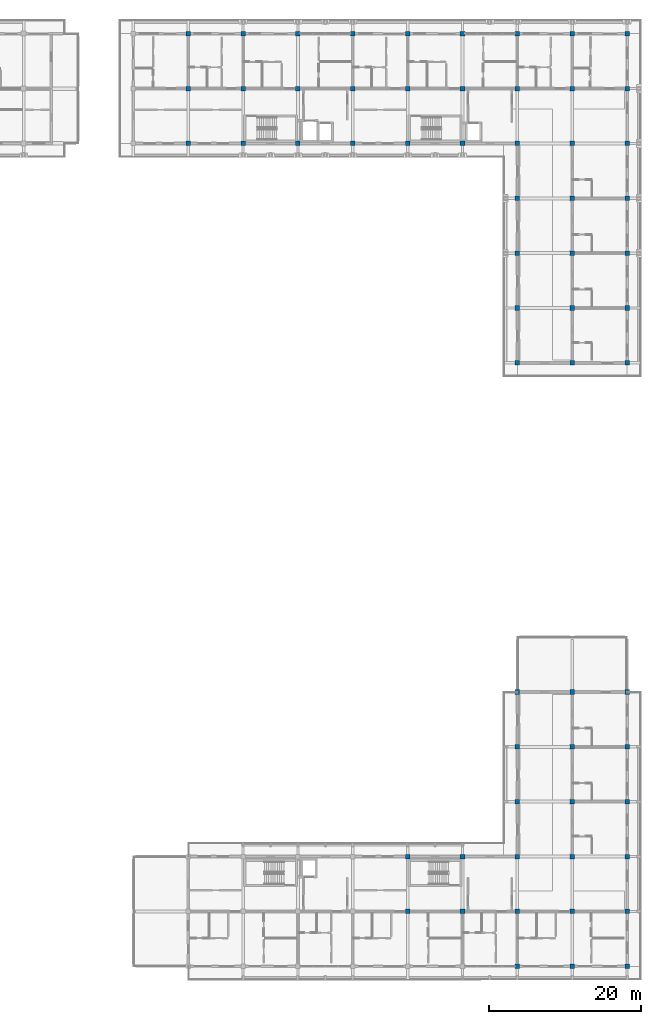
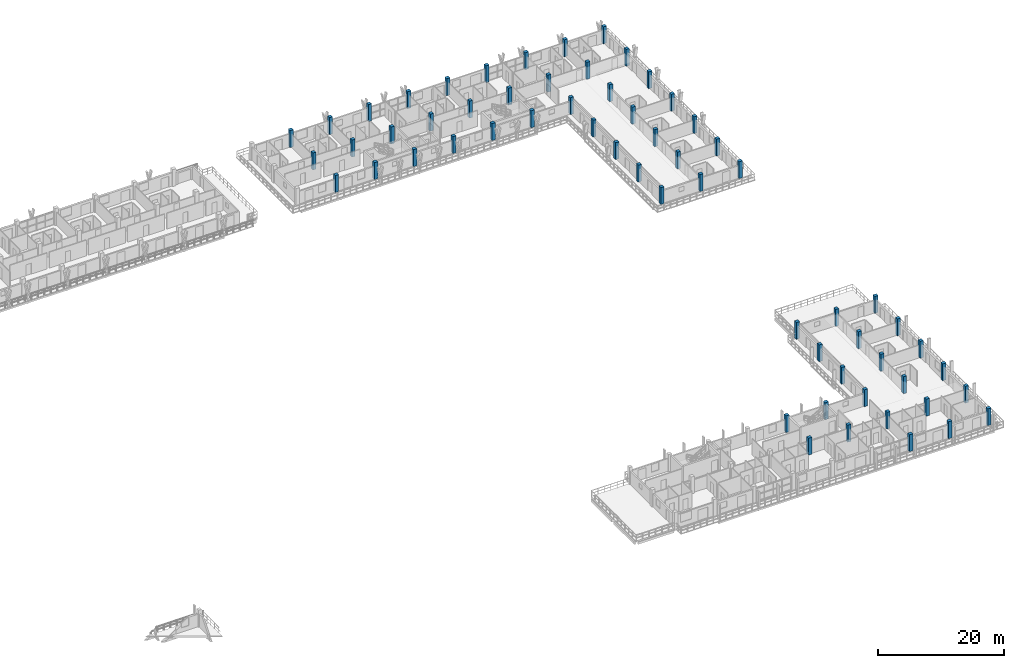
# One storey, part 2 of 75: 61 columns.
"""IFC4 building model written with IfcOpenShell, lengths in metres."""

from ifc_helpers import new_model, si_unit, direction, frame, origin, origin_2d, place, context, subcontext, project, spatial, rectangle, extrude, material, material_profile, profile_set, type_object, element, save


model = new_model("IFC4")

# Units and contexts
model_context = context("Model", 3, precision=1e-05, world=origin(), true_north=direction((0.0, 1.0)))
body_context = subcontext(model_context, "Body", "Model", "MODEL_VIEW")
ifc_project = project(units=[si_unit("LENGTHUNIT", "METRE"), si_unit("AREAUNIT", "SQUARE_METRE"), si_unit("VOLUMEUNIT", "CUBIC_METRE"), si_unit("PLANEANGLEUNIT", "RADIAN"), si_unit("MASSUNIT", "GRAM", prefix="KILO")], contexts=[model_context])

# Site, building, storey
site_placement = place(None, origin())
site = spatial("IfcSite", under=ifc_project, at=site_placement, CompositionType="ELEMENT")
building_placement = place(site_placement, origin())
building = spatial("IfcBuilding", under=site, at=building_placement, Name="Suanplinth Sawtooth Commons", CompositionType="ELEMENT")
storey_placement = place(building_placement, frame((0.0, 0.0, 18.60009765625)))
storey = spatial("IfcBuildingStorey", under=building, at=storey_placement, Name="L05", CompositionType="ELEMENT", Elevation=18.60009765625)

# Columns
ifc_material = material(Name="Precast concrete C40/50", Category="concrete")
ifc_material_profile = material_profile(ifc_material, rectangle(XDim=0.60009765625, YDim=0.60009765625, at=origin_2d()), Name="PC-COL 600x600")
ifc_profile_set = profile_set([ifc_material_profile], Name="Precast concrete C40/50")
column_type = type_object("IfcColumnType", Name="C-04", PredefinedType="COLUMN", material=ifc_profile_set)
for number, where, z_axis, x_axis, name in (
    (1, (129.60009765625, 108.0, 0.0), (0.0, 0.0, 1.0), (1.0, 0.0, 0.0), "Column L05 19/R"),
    (2, (129.60009765625, 115.199951171875, 0.0), (0.0, 0.0, 1.0), (1.0, 0.0, 0.0), "Column L05 19/S"),
    (3, (129.60009765625, 122.39990234375, 0.0), (0.0, 0.0, 1.0), (1.0, 0.0, 0.0), "Column L05 19/T"),
    (4, (136.800048828125, 108.0, 0.0), (0.0, 0.0, 1.0), (1.0, 0.0, 0.0), "Column L05 20/R"),
    (5, (136.800048828125, 115.199951171875, 0.0), (0.0, 0.0, 1.0), (1.0, 0.0, 0.0), "Column L05 20/S"),
    (6, (136.800048828125, 122.39990234375, 0.0), (0.0, 0.0, 1.0), (1.0, 0.0, 0.0), "Column L05 20/T"),
    (7, (144.0, 108.0, 0.0), (0.0, 0.0, 1.0), (1.0, 0.0, 0.0), "Column L05 21/R"),
    (8, (144.0, 115.199951171875, 0.0), (0.0, 0.0, 1.0), (1.0, 0.0, 0.0), "Column L05 21/S"),
    (9, (144.0, 122.39990234375, 0.0), (0.0, 0.0, 1.0), (1.0, 0.0, 0.0), "Column L05 21/T"),
    (10, (151.199951171875, 108.0, 0.0), (0.0, 0.0, 1.0), (1.0, 0.0, 0.0), "Column L05 22/R"),
    (11, (151.199951171875, 115.199951171875, 0.0), (0.0, 0.0, 1.0), (1.0, 0.0, 0.0), "Column L05 22/S"),
    (12, (151.199951171875, 122.39990234375, 0.0), (0.0, 0.0, 1.0), (1.0, 0.0, 0.0), "Column L05 22/T"),
    (13, (158.39990234375, 7.199951171875, 0.0), (0.0, 0.0, 1.0), (1.0, 0.0, 0.0), "Column L05 23/B"),
    (14, (158.39990234375, 14.39990234375, 0.0), (0.0, 0.0, 1.0), (1.0, 0.0, 0.0), "Column L05 23/C"),
    (15, (158.39990234375, 108.0, 0.0), (0.0, 0.0, 1.0), (1.0, 0.0, 0.0), "Column L05 23/R"),
    (16, (158.39990234375, 115.199951171875, 0.0), (0.0, 0.0, 1.0), (1.0, 0.0, 0.0), "Column L05 23/S"),
    (17, (158.39990234375, 122.39990234375, 0.0), (0.0, 0.0, 1.0), (1.0, 0.0, 0.0), "Column L05 23/T"),
    (18, (165.60009765625, 7.199951171875, 0.0), (0.0, 0.0, 1.0), (1.0, 0.0, 0.0), "Column L05 24/B"),
    (19, (165.60009765625, 14.39990234375, 0.0), (0.0, 0.0, 1.0), (1.0, 0.0, 0.0), "Column L05 24/C"),
    (20, (165.60009765625, 108.0, 0.0), (0.0, 0.0, 1.0), (1.0, 0.0, 0.0), "Column L05 24/R"),
    (21, (165.60009765625, 115.199951171875, 0.0), (0.0, 0.0, 1.0), (1.0, 0.0, 0.0), "Column L05 24/S"),
    (22, (165.60009765625, 122.39990234375, 0.0), (0.0, 0.0, 1.0), (1.0, 0.0, 0.0), "Column L05 24/T"),
    (23, (172.800048828125, 0.0, 0.0), (0.0, 0.0, 1.0), (1.0, 0.0, 0.0), "Column L05 25/A"),
    (24, (172.800048828125, 7.199951171875, 0.0), (0.0, 0.0, 1.0), (1.0, 0.0, 0.0), "Column L05 25/B"),
    (25, (172.800048828125, 14.39990234375, 0.0), (0.0, 0.0, 1.0), (1.0, 0.0, 0.0), "Column L05 25/C"),
    (26, (172.800048828125, 21.60009765625, 0.0), (0.0, 0.0, 1.0), (1.0, 0.0, 0.0), "Column L05 25/D"),
    (27, (172.800048828125, 28.800048828125, 0.0), (0.0, 0.0, 1.0), (1.0, 0.0, 0.0), "Column L05 25/E"),
    (28, (172.800048828125, 36.0, 0.0), (0.0, 0.0, 1.0), (1.0, 0.0, 0.0), "Column L05 25/F"),
    (29, (172.800048828125, 79.199951171875, 0.0), (0.0, 0.0, 1.0), (1.0, 0.0, 0.0), "Column L05 25/M"),
    (30, (172.800048828125, 86.39990234375, 0.0), (0.0, 0.0, 1.0), (1.0, 0.0, 0.0), "Column L05 25/N"),
    (31, (172.800048828125, 93.60009765625, 0.0), (0.0, 0.0, 1.0), (1.0, 0.0, 0.0), "Column L05 25/P"),
    (32, (172.800048828125, 100.800048828125, 0.0), (0.0, 0.0, 1.0), (1.0, 0.0, 0.0), "Column L05 25/Q"),
    (33, (172.800048828125, 108.0, 0.0), (0.0, 0.0, 1.0), (1.0, 0.0, 0.0), "Column L05 25/R"),
    (34, (172.800048828125, 115.199951171875, 0.0), (0.0, 0.0, 1.0), (1.0, 0.0, 0.0), "Column L05 25/S"),
    (35, (172.800048828125, 122.39990234375, 0.0), (0.0, 0.0, 1.0), (1.0, 0.0, 0.0), "Column L05 25/T"),
    (36, (180.0, 0.0, 0.0), (0.0, 0.0, 1.0), (1.0, 0.0, 0.0), "Column L05 26/A"),
    (37, (180.0, 7.199951171875, 0.0), (0.0, 0.0, 1.0), (1.0, 0.0, 0.0), "Column L05 26/B"),
    (38, (180.0, 14.39990234375, 0.0), (0.0, 0.0, 1.0), (1.0, 0.0, 0.0), "Column L05 26/C"),
    (39, (180.0, 21.60009765625, 0.0), (0.0, 0.0, 1.0), (1.0, 0.0, 0.0), "Column L05 26/D"),
    (40, (180.0, 28.800048828125, 0.0), (0.0, 0.0, 1.0), (1.0, 0.0, 0.0), "Column L05 26/E"),
    (41, (180.0, 36.0, 0.0), (0.0, 0.0, 1.0), (1.0, 0.0, 0.0), "Column L05 26/F"),
    (42, (180.0, 79.199951171875, 0.0), (0.0, 0.0, 1.0), (1.0, 0.0, 0.0), "Column L05 26/M"),
    (43, (180.0, 86.39990234375, 0.0), (0.0, 0.0, 1.0), (1.0, 0.0, 0.0), "Column L05 26/N"),
    (44, (180.0, 93.60009765625, 0.0), (0.0, 0.0, 1.0), (1.0, 0.0, 0.0), "Column L05 26/P"),
    (45, (180.0, 100.800048828125, 0.0), (0.0, 0.0, 1.0), (1.0, 0.0, 0.0), "Column L05 26/Q"),
    (46, (180.0, 108.0, 0.0), (0.0, 0.0, 1.0), (1.0, 0.0, 0.0), "Column L05 26/R"),
    (47, (180.0, 115.199951171875, 0.0), (0.0, 0.0, 1.0), (1.0, 0.0, 0.0), "Column L05 26/S"),
    (48, (180.0, 122.39990234375, 0.0), (0.0, 0.0, 1.0), (1.0, 0.0, 0.0), "Column L05 26/T"),
    (49, (187.199951171875, 0.0, 0.0), (0.0, 0.0, 1.0), (1.0, 0.0, 0.0), "Column L05 27/A"),
    (50, (187.199951171875, 7.199951171875, 0.0), (0.0, 0.0, 1.0), (1.0, 0.0, 0.0), "Column L05 27/B"),
    (51, (187.199951171875, 14.39990234375, 0.0), (0.0, 0.0, 1.0), (1.0, 0.0, 0.0), "Column L05 27/C"),
    (52, (187.199951171875, 21.60009765625, 0.0), (0.0, 0.0, 1.0), (1.0, 0.0, 0.0), "Column L05 27/D"),
    (53, (187.199951171875, 28.800048828125, 0.0), (0.0, 0.0, 1.0), (1.0, 0.0, 0.0), "Column L05 27/E"),
    (54, (187.199951171875, 36.0, 0.0), (0.0, 0.0, 1.0), (1.0, 0.0, 0.0), "Column L05 27/F"),
    (55, (187.199951171875, 79.199951171875, 0.0), (0.0, 0.0, 1.0), (1.0, 0.0, 0.0), "Column L05 27/M"),
    (56, (187.199951171875, 86.39990234375, 0.0), (0.0, 0.0, 1.0), (1.0, 0.0, 0.0), "Column L05 27/N"),
    (57, (187.199951171875, 93.60009765625, 0.0), (0.0, 0.0, 1.0), (1.0, 0.0, 0.0), "Column L05 27/P"),
    (58, (187.199951171875, 100.800048828125, 0.0), (0.0, 0.0, 1.0), (1.0, 0.0, 0.0), "Column L05 27/Q"),
    (59, (187.199951171875, 108.0, 0.0), (0.0, 0.0, 1.0), (1.0, 0.0, 0.0), "Column L05 27/R"),
    (60, (187.199951171875, 115.199951171875, 0.0), (0.0, 0.0, 1.0), (1.0, 0.0, 0.0), "Column L05 27/S"),
    (61, (187.199951171875, 122.39990234375, 0.0), (0.0, 0.0, 1.0), (1.0, 0.0, 0.0), "Column L05 27/T"),
):
    element("IfcColumn", number, at=place(storey_placement, frame(where, z_axis=z_axis, x_axis=x_axis)), inside=storey, type_object=column_type, Name=name, PredefinedType="COLUMN", context=body_context, shape_type="SweptSolid", body=[
        extrude(rectangle(XDim=0.60009765625, YDim=0.60009765625, at=origin_2d()), origin(), (0.0, 0.0, 1.0), 3.2998046875),
    ])

save(model, "model.ifc")
